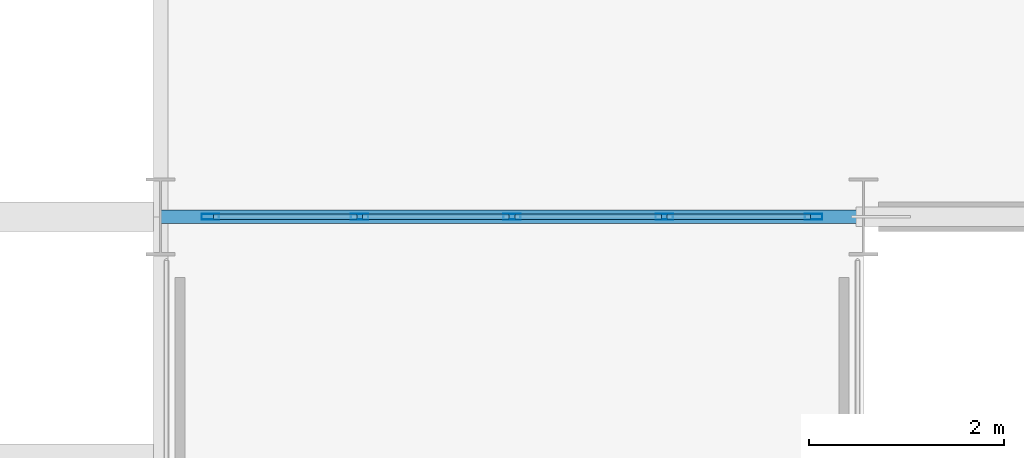
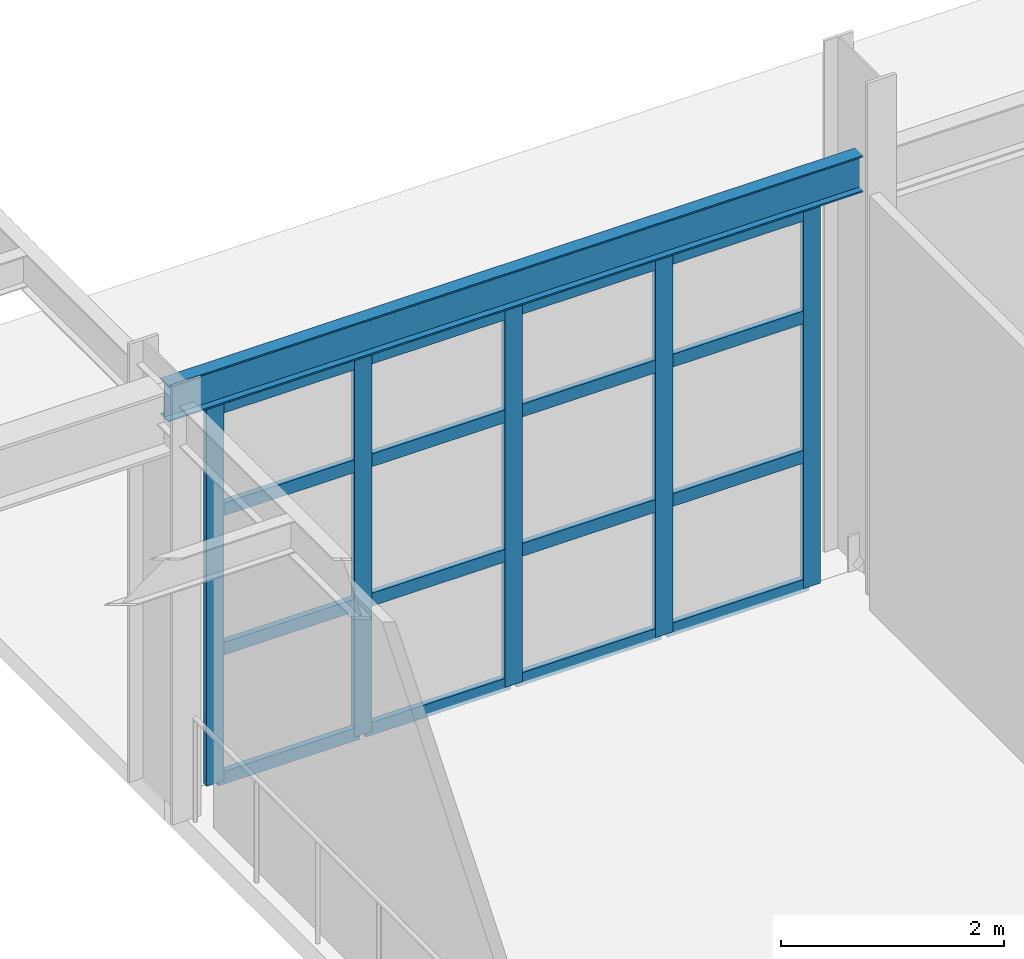
# One storey, part 51 of 126: 21 members, 1 beam, 1 element without a shape of its own.
"""IFC4 building model written with IfcOpenShell, lengths in metres."""

from ifc_helpers import new_model, si_unit, direction, frame, origin, origin_2d, place, context, subcontext, project, spatial, hollow_rectangle, i_section, extrude, material, layer, layer_set, material_profile, profile_set, type_object, element, aggregate, save


model = new_model("IFC4")

# Units and contexts
model_context = context("Model", 3, precision=1e-05, world=origin(), true_north=direction((0.0, 1.0)))
body_context = subcontext(model_context, "Body", "Model", "MODEL_VIEW")
ifc_project = project(units=[si_unit("LENGTHUNIT", "METRE"), si_unit("AREAUNIT", "SQUARE_METRE"), si_unit("VOLUMEUNIT", "CUBIC_METRE"), si_unit("PLANEANGLEUNIT", "RADIAN"), si_unit("MASSUNIT", "GRAM", prefix="KILO")], contexts=[model_context])

# Site, building, storey
site_placement = place(None, origin())
site = spatial("IfcSite", under=ifc_project, at=site_placement, CompositionType="ELEMENT")
building_placement = place(site_placement, origin())
building = spatial("IfcBuilding", under=site, at=building_placement, Name="Solvadek Multi-Sports Hall", CompositionType="ELEMENT")
storey_placement = place(building_placement, frame((0.0, 0.0, 9.60009765625)))
storey = spatial("IfcBuildingStorey", under=building, at=storey_placement, Name="L02", CompositionType="ELEMENT", Elevation=9.60009765625)

# Curtain wall, members
ifc_material_1 = material(Name="Anodised aluminium", Category="aluminium")
ifc_layer = layer(ifc_material_1, 0.159912109375, Name="Anodised aluminium")
ifc_layer_set = layer_set([ifc_layer], Name="Anodised aluminium")
curtain_wall_type = type_object("IfcCurtainWallType", Name="ENV-CW-624X412", PredefinedType="USERDEFINED", material=ifc_layer_set)
curtain_wall_placement = place(storey_placement, origin())
curtain_wall = element("IfcCurtainWall", 1, at=curtain_wall_placement, inside=storey, type_object=curtain_wall_type, Name="L02 Perimeter Bay Curtain Wall #124", ObjectType="CURTAIN WALL", PredefinedType="USERDEFINED")
ifc_material_profile_1 = material_profile(ifc_material_1, hollow_rectangle(XDim=0.06005859375, YDim=0.179931640625, WallThickness=0.00390625, at=origin_2d()), Name="ALU-M 180x60x4")
ifc_profile_set_1 = profile_set([ifc_material_profile_1], Name="Anodised aluminium")
member_type_1 = type_object("IfcMemberType", Name="ENV-CWM-02", PredefinedType="MULLION", material=ifc_profile_set_1)
member_1_placement = place(storey_placement, frame((86.909912109375, 42.0, 0.0), z_axis=(0.0, 0.0, 1.0), x_axis=(0.0, 1.0, 0.0)))
member_1 = element("IfcMember", 2, at=member_1_placement, type_object=member_type_1, Name="CW-38 mullion 1", PredefinedType="MULLION", context=body_context, shape_type="SweptSolid", body=[
    extrude(hollow_rectangle(XDim=0.06005859375, YDim=0.179931640625, WallThickness=0.00390625, at=origin_2d()), origin(), (0.0, 0.0, 1.0), 4.125),
])
member_2_placement = place(storey_placement, frame((88.43994140625, 42.0, 0.0), z_axis=(0.0, 0.0, 1.0), x_axis=(0.0, 1.0, 0.0)))
member_2 = element("IfcMember", 3, at=member_2_placement, type_object=member_type_1, Name="CW-38 mullion 2", PredefinedType="MULLION", context=body_context, shape_type="SweptSolid", body=[
    extrude(hollow_rectangle(XDim=0.06005859375, YDim=0.179931640625, WallThickness=0.00390625, at=origin_2d()), origin(), (0.0, 0.0, 1.0), 4.125),
])
member_3_placement = place(storey_placement, frame((90.0, 42.0, 0.0), z_axis=(0.0, 0.0, 1.0), x_axis=(0.0, 1.0, 0.0)))
member_3 = element("IfcMember", 4, at=member_3_placement, type_object=member_type_1, Name="CW-38 mullion 3", PredefinedType="MULLION", context=body_context, shape_type="SweptSolid", body=[
    extrude(hollow_rectangle(XDim=0.06005859375, YDim=0.179931640625, WallThickness=0.00390625, at=origin_2d()), origin(), (0.0, 0.0, 1.0), 4.125),
])
member_4_placement = place(storey_placement, frame((91.56005859375, 42.0, 0.0), z_axis=(0.0, 0.0, 1.0), x_axis=(0.0, 1.0, 0.0)))
member_4 = element("IfcMember", 5, at=member_4_placement, type_object=member_type_1, Name="CW-38 mullion 4", PredefinedType="MULLION", context=body_context, shape_type="SweptSolid", body=[
    extrude(hollow_rectangle(XDim=0.06005859375, YDim=0.179931640625, WallThickness=0.00390625, at=origin_2d()), origin(), (0.0, 0.0, 1.0), 4.125),
])
member_5_placement = place(storey_placement, frame((93.090087890625, 42.0, 0.0), z_axis=(0.0, 0.0, 1.0), x_axis=(0.0, 1.0, 0.0)))
member_5 = element("IfcMember", 6, at=member_5_placement, type_object=member_type_1, Name="CW-38 mullion 5", PredefinedType="MULLION", context=body_context, shape_type="SweptSolid", body=[
    extrude(hollow_rectangle(XDim=0.06005859375, YDim=0.179931640625, WallThickness=0.00390625, at=origin_2d()), origin(), (0.0, 0.0, 1.0), 4.125),
])
ifc_material_profile_2 = material_profile(ifc_material_1, hollow_rectangle(XDim=0.06005859375, YDim=0.139892578125, WallThickness=0.00390625, at=origin_2d()), Name="ALU-T 140x60x4")
ifc_profile_set_2 = profile_set([ifc_material_profile_2], Name="Anodised aluminium")
member_type_2 = type_object("IfcMemberType", Name="ENV-CWT-02", PredefinedType="USERDEFINED", material=ifc_profile_set_2)
member_6_placement = place(storey_placement, frame((86.93994140625, 42.0, 0.02978515625), z_axis=(1.0, 0.0, 0.0), x_axis=(0.0, 1.0, 0.0)))
member_6 = element("IfcMember", 7, at=member_6_placement, type_object=member_type_2, Name="CW-38 transom 1.1", ObjectType="TRANSOM", PredefinedType="USERDEFINED", context=body_context, shape_type="SweptSolid", body=[
    extrude(hollow_rectangle(XDim=0.06005859375, YDim=0.139892578125, WallThickness=0.00390625, at=origin_2d()), origin(), (0.0, 0.0, 1.0), 1.469970703125),
])
member_7_placement = place(storey_placement, frame((86.93994140625, 42.0, 1.44384765625), z_axis=(1.0, 0.0, 0.0), x_axis=(0.0, 1.0, 0.0)))
member_7 = element("IfcMember", 8, at=member_7_placement, type_object=member_type_2, Name="CW-38 transom 1.2", ObjectType="TRANSOM", PredefinedType="USERDEFINED", context=body_context, shape_type="SweptSolid", body=[
    extrude(hollow_rectangle(XDim=0.06005859375, YDim=0.139892578125, WallThickness=0.00390625, at=origin_2d()), origin(), (0.0, 0.0, 1.0), 1.469970703125),
])
member_8_placement = place(storey_placement, frame((86.93994140625, 42.0, 2.969970703125), z_axis=(1.0, 0.0, 0.0), x_axis=(0.0, 1.0, 0.0)))
member_8 = element("IfcMember", 9, at=member_8_placement, type_object=member_type_2, Name="CW-38 transom 1.3", ObjectType="TRANSOM", PredefinedType="USERDEFINED", context=body_context, shape_type="SweptSolid", body=[
    extrude(hollow_rectangle(XDim=0.06005859375, YDim=0.139892578125, WallThickness=0.00390625, at=origin_2d()), origin(), (0.0, 0.0, 1.0), 1.469970703125),
])
member_9_placement = place(storey_placement, frame((86.93994140625, 42.0, 4.094970703125), z_axis=(1.0, 0.0, 0.0), x_axis=(0.0, 1.0, 0.0)))
member_9 = element("IfcMember", 10, at=member_9_placement, type_object=member_type_2, Name="CW-38 transom 1.4", ObjectType="TRANSOM", PredefinedType="USERDEFINED", context=body_context, shape_type="SweptSolid", body=[
    extrude(hollow_rectangle(XDim=0.06005859375, YDim=0.139892578125, WallThickness=0.00390625, at=origin_2d()), origin(), (0.0, 0.0, 1.0), 1.469970703125),
])
member_10_placement = place(storey_placement, frame((88.469970703125, 42.0, 0.02978515625), z_axis=(1.0, 0.0, 0.0), x_axis=(0.0, 1.0, 0.0)))
member_10 = element("IfcMember", 11, at=member_10_placement, type_object=member_type_2, Name="CW-38 transom 2.1", ObjectType="TRANSOM", PredefinedType="USERDEFINED", context=body_context, shape_type="SweptSolid", body=[
    extrude(hollow_rectangle(XDim=0.06005859375, YDim=0.139892578125, WallThickness=0.00390625, at=origin_2d()), origin(), (0.0, 0.0, 1.0), 1.5),
])
member_11_placement = place(storey_placement, frame((88.469970703125, 42.0, 1.44384765625), z_axis=(1.0, 0.0, 0.0), x_axis=(0.0, 1.0, 0.0)))
member_11 = element("IfcMember", 12, at=member_11_placement, type_object=member_type_2, Name="CW-38 transom 2.2", ObjectType="TRANSOM", PredefinedType="USERDEFINED", context=body_context, shape_type="SweptSolid", body=[
    extrude(hollow_rectangle(XDim=0.06005859375, YDim=0.139892578125, WallThickness=0.00390625, at=origin_2d()), origin(), (0.0, 0.0, 1.0), 1.5),
])
member_12_placement = place(storey_placement, frame((88.469970703125, 42.0, 2.969970703125), z_axis=(1.0, 0.0, 0.0), x_axis=(0.0, 1.0, 0.0)))
member_12 = element("IfcMember", 13, at=member_12_placement, type_object=member_type_2, Name="CW-38 transom 2.3", ObjectType="TRANSOM", PredefinedType="USERDEFINED", context=body_context, shape_type="SweptSolid", body=[
    extrude(hollow_rectangle(XDim=0.06005859375, YDim=0.139892578125, WallThickness=0.00390625, at=origin_2d()), origin(), (0.0, 0.0, 1.0), 1.5),
])
member_13_placement = place(storey_placement, frame((88.469970703125, 42.0, 4.094970703125), z_axis=(1.0, 0.0, 0.0), x_axis=(0.0, 1.0, 0.0)))
member_13 = element("IfcMember", 14, at=member_13_placement, type_object=member_type_2, Name="CW-38 transom 2.4", ObjectType="TRANSOM", PredefinedType="USERDEFINED", context=body_context, shape_type="SweptSolid", body=[
    extrude(hollow_rectangle(XDim=0.06005859375, YDim=0.139892578125, WallThickness=0.00390625, at=origin_2d()), origin(), (0.0, 0.0, 1.0), 1.5),
])
member_14_placement = place(storey_placement, frame((90.030029296875, 42.0, 0.02978515625), z_axis=(1.0, 0.0, 0.0), x_axis=(0.0, 1.0, 0.0)))
member_14 = element("IfcMember", 15, at=member_14_placement, type_object=member_type_2, Name="CW-38 transom 3.1", ObjectType="TRANSOM", PredefinedType="USERDEFINED", context=body_context, shape_type="SweptSolid", body=[
    extrude(hollow_rectangle(XDim=0.06005859375, YDim=0.139892578125, WallThickness=0.00390625, at=origin_2d()), origin(), (0.0, 0.0, 1.0), 1.5),
])
member_15_placement = place(storey_placement, frame((90.030029296875, 42.0, 1.44384765625), z_axis=(1.0, 0.0, 0.0), x_axis=(0.0, 1.0, 0.0)))
member_15 = element("IfcMember", 16, at=member_15_placement, type_object=member_type_2, Name="CW-38 transom 3.2", ObjectType="TRANSOM", PredefinedType="USERDEFINED", context=body_context, shape_type="SweptSolid", body=[
    extrude(hollow_rectangle(XDim=0.06005859375, YDim=0.139892578125, WallThickness=0.00390625, at=origin_2d()), origin(), (0.0, 0.0, 1.0), 1.5),
])
member_16_placement = place(storey_placement, frame((90.030029296875, 42.0, 2.969970703125), z_axis=(1.0, 0.0, 0.0), x_axis=(0.0, 1.0, 0.0)))
member_16 = element("IfcMember", 17, at=member_16_placement, type_object=member_type_2, Name="CW-38 transom 3.3", ObjectType="TRANSOM", PredefinedType="USERDEFINED", context=body_context, shape_type="SweptSolid", body=[
    extrude(hollow_rectangle(XDim=0.06005859375, YDim=0.139892578125, WallThickness=0.00390625, at=origin_2d()), origin(), (0.0, 0.0, 1.0), 1.5),
])
member_17_placement = place(storey_placement, frame((90.030029296875, 42.0, 4.094970703125), z_axis=(1.0, 0.0, 0.0), x_axis=(0.0, 1.0, 0.0)))
member_17 = element("IfcMember", 18, at=member_17_placement, type_object=member_type_2, Name="CW-38 transom 3.4", ObjectType="TRANSOM", PredefinedType="USERDEFINED", context=body_context, shape_type="SweptSolid", body=[
    extrude(hollow_rectangle(XDim=0.06005859375, YDim=0.139892578125, WallThickness=0.00390625, at=origin_2d()), origin(), (0.0, 0.0, 1.0), 1.5),
])
member_18_placement = place(storey_placement, frame((91.590087890625, 42.0, 0.02978515625), z_axis=(1.0, 0.0, 0.0), x_axis=(0.0, 1.0, 0.0)))
member_18 = element("IfcMember", 19, at=member_18_placement, type_object=member_type_2, Name="CW-38 transom 4.1", ObjectType="TRANSOM", PredefinedType="USERDEFINED", context=body_context, shape_type="SweptSolid", body=[
    extrude(hollow_rectangle(XDim=0.06005859375, YDim=0.139892578125, WallThickness=0.00390625, at=origin_2d()), origin(), (0.0, 0.0, 1.0), 1.469970703125),
])
member_19_placement = place(storey_placement, frame((91.590087890625, 42.0, 1.44384765625), z_axis=(1.0, 0.0, 0.0), x_axis=(0.0, 1.0, 0.0)))
member_19 = element("IfcMember", 20, at=member_19_placement, type_object=member_type_2, Name="CW-38 transom 4.2", ObjectType="TRANSOM", PredefinedType="USERDEFINED", context=body_context, shape_type="SweptSolid", body=[
    extrude(hollow_rectangle(XDim=0.06005859375, YDim=0.139892578125, WallThickness=0.00390625, at=origin_2d()), origin(), (0.0, 0.0, 1.0), 1.469970703125),
])
member_20_placement = place(storey_placement, frame((91.590087890625, 42.0, 2.969970703125), z_axis=(1.0, 0.0, 0.0), x_axis=(0.0, 1.0, 0.0)))
member_20 = element("IfcMember", 21, at=member_20_placement, type_object=member_type_2, Name="CW-38 transom 4.3", ObjectType="TRANSOM", PredefinedType="USERDEFINED", context=body_context, shape_type="SweptSolid", body=[
    extrude(hollow_rectangle(XDim=0.06005859375, YDim=0.139892578125, WallThickness=0.00390625, at=origin_2d()), origin(), (0.0, 0.0, 1.0), 1.469970703125),
])
member_21_placement = place(storey_placement, frame((91.590087890625, 42.0, 4.094970703125), z_axis=(1.0, 0.0, 0.0), x_axis=(0.0, 1.0, 0.0)))
member_21 = element("IfcMember", 22, at=member_21_placement, type_object=member_type_2, Name="CW-38 transom 4.4", ObjectType="TRANSOM", PredefinedType="USERDEFINED", context=body_context, shape_type="SweptSolid", body=[
    extrude(hollow_rectangle(XDim=0.06005859375, YDim=0.139892578125, WallThickness=0.00390625, at=origin_2d()), origin(), (0.0, 0.0, 1.0), 1.469970703125),
])
aggregate(curtain_wall, [member_1, member_2, member_3, member_4, member_5, member_6, member_7, member_8, member_9, member_10, member_11, member_12, member_13, member_14, member_15, member_16, member_17, member_18, member_19, member_20, member_21])

# Beam
ifc_material_2 = material(Name="Steel E350 (350 MPa)", Category="steel")
ifc_material_profile_3 = material_profile(ifc_material_2, i_section(OverallWidth=0.139892578125, OverallDepth=0.39990234375, WebThickness=0.0087890625, FlangeThickness=0.01611328125, at=origin_2d()), Name="ISMB 400")
ifc_profile_set_3 = profile_set([ifc_material_profile_3], Name="Steel E350 (350 MPa)")
beam_type = type_object("IfcBeamType", Name="STR-BM-ISMB400", PredefinedType="BEAM", material=ifc_profile_set_3)
beam_placement = place(storey_placement, frame((86.39990234375, 42.0, 4.35986328125), z_axis=(1.0, 0.0, 0.0), x_axis=(0.0, 1.0, 0.0)))
element("IfcBeam", 23, at=beam_placement, inside=storey, type_object=beam_type, Name="L02 Girder B-10 #1354", PredefinedType="BEAM", context=body_context, shape_type="SweptSolid", body=[
    extrude(i_section(OverallWidth=0.139892578125, OverallDepth=0.39990234375, WebThickness=0.0087890625, FlangeThickness=0.01611328125, at=origin_2d()), origin(), (0.0, 0.0, 1.0), 7.2001953125),
])

save(model, "model.ifc")
